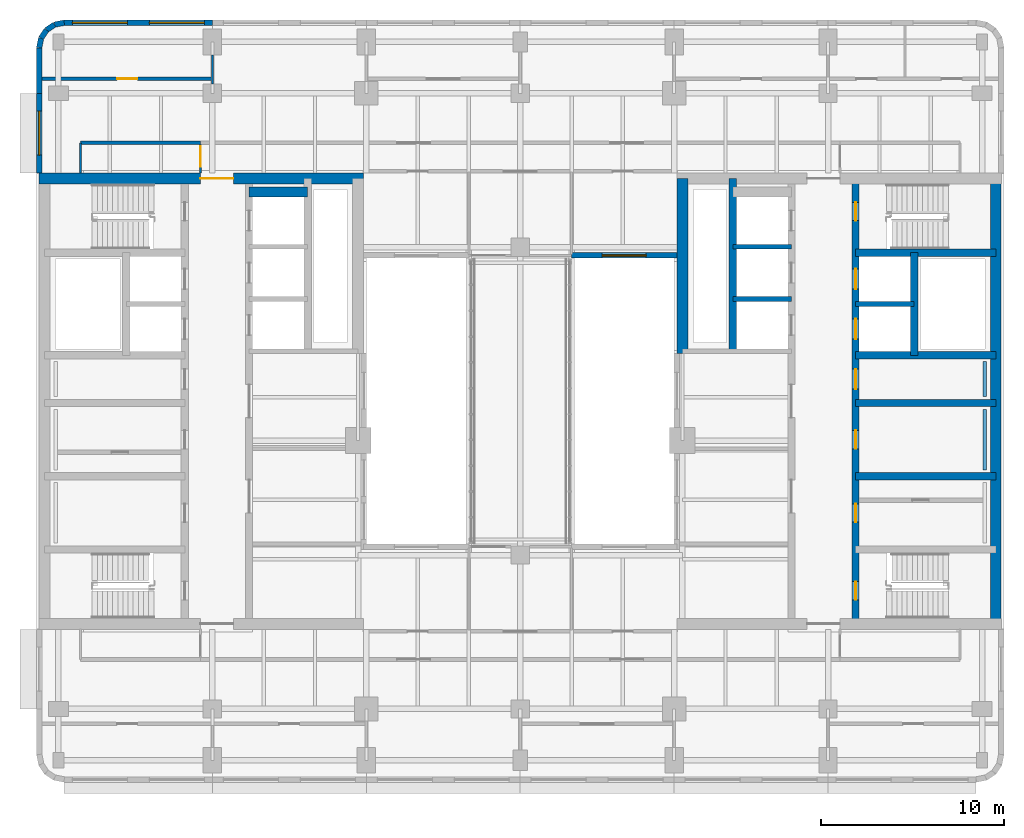
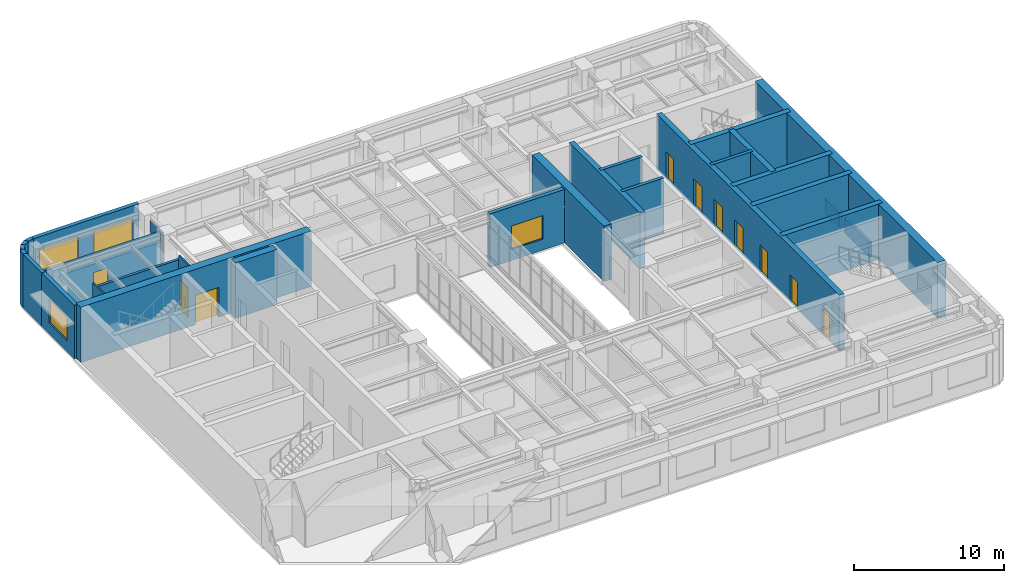
# One storey, part 9 of 14: 29 walls, 10 doors, 4 windows, 14 openings.
"""IFC4 building model written with IfcOpenShell, lengths in metres."""

import ifcopenshell
import ifcopenshell.guid

model = None  # the IFC model being written
_history = None  # IfcOwnerHistory: only IFC2X3 demands one
_inside = {}  # id of a spatial element -> (the spatial element, [elements in it])
_under = {}  # id of a project, library or spatial element -> (it, [spatial elements below it])
_declared = {}  # id of a project -> (the project, [libraries it declares])
_typed = {}  # id of a type object -> (the type object, [elements of that type])
_made_of = {}  # id of a material, layer set ... -> (it, [elements and type objects made of it])


def new_model(schema):
    """Start an empty IFC model of exactly this schema.

    Asked for "IFC4X3", IfcOpenShell would pick the latest addendum, in which some entities
    have other attributes; the version numbers below select the first issue.
    IFC2X3 requires an IfcOwnerHistory on every rooted entity: one is made here for all.
    """
    global model, _history
    if schema == "IFC4X3":
        model = ifcopenshell.file(schema_version=(4, 3, 0, 0))
    else:
        model = ifcopenshell.file(schema=schema)
    _inside.clear()
    _under.clear()
    _declared.clear()
    _typed.clear()
    _made_of.clear()
    _history = None
    if model.schema == "IFC2X3":
        org = make("IfcOrganization", Name="unknown")
        user = make(
            "IfcPersonAndOrganization",
            ThePerson=make("IfcPerson", FamilyName="unknown"),
            TheOrganization=org,
        )
        app = make(
            "IfcApplication",
            ApplicationDeveloper=org,
            Version="unknown",
            ApplicationFullName="unknown",
            ApplicationIdentifier="unknown",
        )
        _history = make(
            "IfcOwnerHistory",
            OwningUser=user,
            OwningApplication=app,
            ChangeAction="ADDED",
            CreationDate=0,
        )
    return model


def make(cls, **values):
    """One entity of the class cls with the attributes given. An attribute that is None is left unset."""
    return model.create_entity(
        cls, **{name: value for name, value in values.items() if value is not None}
    )


def rooted(cls, **values):
    """An entity with a GlobalId (a new one), such as an element, a storey or a relation."""
    return make(cls, GlobalId=ifcopenshell.guid.new(), OwnerHistory=_history, **values)


def si_unit(unit_type, name, prefix=None):
    """IfcSIUnit, for example si_unit("LENGTHUNIT", "METRE", prefix="MILLI")."""
    return make("IfcSIUnit", UnitType=unit_type, Prefix=prefix, Name=name)


def assignment(units):
    """IfcUnitAssignment: the units of a project."""
    return None if units is None else make("IfcUnitAssignment", Units=units)


def point(xyz):
    """IfcCartesianPoint."""
    return None if xyz is None else make("IfcCartesianPoint", Coordinates=xyz)


def direction(xyz):
    """IfcDirection."""
    return None if xyz is None else make("IfcDirection", DirectionRatios=xyz)


def frame(location, z_axis=None, x_axis=None):
    """IfcAxis2Placement3D, a coordinate frame: its origin and axes. An axis left out is left unset."""
    return make(
        "IfcAxis2Placement3D",
        Location=point(location),
        Axis=direction(z_axis),
        RefDirection=direction(x_axis),
    )


def frame_2d(location, x_axis=None):
    """IfcAxis2Placement2D, a coordinate frame in the plane: its origin and x axis."""
    return make(
        "IfcAxis2Placement2D", Location=point(location), RefDirection=direction(x_axis)
    )


def origin():
    """The frame at (0, 0, 0) with its axes left unset."""
    return frame((0.0, 0.0, 0.0))


def place(relative_to, where):
    """IfcLocalPlacement: puts the frame where relative to a parent placement (None: the world)."""
    return make(
        "IfcLocalPlacement", PlacementRelTo=relative_to, RelativePlacement=where
    )


def context(
    kind, dimensions, precision=None, world=None, true_north=None, identifier=None
):
    """IfcGeometricRepresentationContext, for example the 3D "Model" context."""
    return make(
        "IfcGeometricRepresentationContext",
        ContextIdentifier=identifier,
        ContextType=kind,
        CoordinateSpaceDimension=dimensions,
        Precision=precision,
        WorldCoordinateSystem=world,
        TrueNorth=true_north,
    )


def subcontext(parent, identifier, kind, view, scale=None):
    """IfcGeometricRepresentationSubContext, for example "Body" below "Model"."""
    return make(
        "IfcGeometricRepresentationSubContext",
        ContextIdentifier=identifier,
        ContextType=kind,
        ParentContext=parent,
        TargetScale=scale,
        TargetView=view,
    )


def project(units=None, contexts=None):
    """IfcProject with its units and contexts."""
    return rooted(
        "IfcProject",
        Name="project",
        RepresentationContexts=contexts,
        UnitsInContext=assignment(units),
    )


def spatial(cls, under=None, at=None, **own):
    """A site, building, storey or space (cls), placed at a placement, below another one or the project."""
    s = rooted(cls, ObjectPlacement=at, **own)
    if under is not None:
        _under.setdefault(under.id(), (under, []))[1].append(s)
    return s


def profile(cls, at=None, kind="AREA", **sizes):
    """A parametric profile (cls). Its sizes go by their IFC names, for example OverallWidth=200.0."""
    return make(cls, ProfileType=kind, Position=at, **sizes)


def rectangle(**sizes):
    """IfcRectangleProfileDef."""
    return profile("IfcRectangleProfileDef", **sizes)


def extrude(swept, where, along, depth):
    """IfcExtrudedAreaSolid: the profile swept, set in the frame where, extruded along a direction by depth."""
    return make(
        "IfcExtrudedAreaSolid",
        SweptArea=swept,
        Position=where,
        ExtrudedDirection=direction(along),
        Depth=depth,
    )


def shape(context_of_items, identifier, shape_type, items):
    """IfcShapeRepresentation: the items that make up one representation, for example the "Body"."""
    return make(
        "IfcShapeRepresentation",
        ContextOfItems=context_of_items,
        RepresentationIdentifier=identifier,
        RepresentationType=shape_type,
        Items=items,
    )


def material(Name=None, Category=None):
    """IfcMaterial."""
    return make("IfcMaterial", Name=Name, Category=Category)


def layer(
    of_material, thickness, ventilated=None, Name=None, Category=None, Priority=None
):
    """IfcMaterialLayer: one layer of a wall or slab, of a material (None: an air gap)."""
    return make(
        "IfcMaterialLayer",
        Material=of_material,
        LayerThickness=thickness,
        IsVentilated=ventilated,
        Name=Name,
        Category=Category,
        Priority=Priority,
    )


def layer_set(layers, Name=None):
    """IfcMaterialLayerSet."""
    return make("IfcMaterialLayerSet", MaterialLayers=layers, LayerSetName=Name)


def made_of(thing, what):
    """Note that an element or type object is made of a material, layer set ...; save() writes the relation."""
    if what is not None:
        _made_of.setdefault(what.id(), (what, []))[1].append(thing)
    return thing


def type_object(cls, material=None, **own):
    """A type object (cls), such as IfcWallType, which elements share."""
    return made_of(rooted(cls, **own), material)


def element(
    cls,
    number,
    at=None,
    inside=None,
    cuts=None,
    type_object=None,
    material=None,
    context=None,
    identifier="Body",
    shape_type=None,
    held_by="IfcProductDefinitionShape",
    body=None,
    shapes=None,
    **own,
):
    """One element of the class cls, such as IfcWall. Its Tag is "e" and its number.

    at: its placement. inside: the storey or other place that contains it. cuts: it is an
    opening in that element (IfcRelVoidsElement). A single representation is given by context,
    identifier, shape_type and body (its items); several are given by shapes. held_by: the class
    of the entity that holds the representations. save() writes the other relations.
    """
    e = rooted(cls, Tag="e%d" % number, ObjectPlacement=at, **own)
    if body is not None:
        shapes = [shape(context, identifier, shape_type, body)]
    if shapes is not None:
        e.Representation = make(held_by, Representations=shapes)
    if inside is not None:
        _inside.setdefault(inside.id(), (inside, []))[1].append(e)
    if cuts is not None:
        rooted(
            "IfcRelVoidsElement", RelatingBuildingElement=cuts, RelatedOpeningElement=e
        )
    if type_object is not None:
        _typed.setdefault(type_object.id(), (type_object, []))[1].append(e)
    return made_of(e, material)


def fill(opening, filler):
    """IfcRelFillsElement: the door or window that sits in an opening."""
    return rooted(
        "IfcRelFillsElement",
        RelatingOpeningElement=opening,
        RelatedBuildingElement=filler,
    )


def aggregate(whole, parts):
    """IfcRelAggregates: a whole, such as a stair, and the parts it consists of."""
    return rooted("IfcRelAggregates", RelatingObject=whole, RelatedObjects=parts)


def save(model, path):
    """Write the relations noted so far, then the file.

    IfcRelAggregates (storeys below a building ...), IfcRelContainedInSpatialStructure (elements
    in a storey), IfcRelDefinesByType, IfcRelAssociatesMaterial and IfcRelDeclares: one each for
    every whole, place, type object, material and project.
    """
    for whole, parts in _under.values():
        aggregate(whole, parts)
    for where, things in _inside.values():
        rooted(
            "IfcRelContainedInSpatialStructure",
            RelatedElements=things,
            RelatingStructure=where,
        )
    for kind, things in _typed.values():
        rooted("IfcRelDefinesByType", RelatedObjects=things, RelatingType=kind)
    for what, things in _made_of.values():
        rooted("IfcRelAssociatesMaterial", RelatedObjects=things, RelatingMaterial=what)
    for by, libraries in _declared.values():
        rooted("IfcRelDeclares", RelatingContext=by, RelatedDefinitions=libraries)
    model.write(path)


model = new_model("IFC4")

# Units and contexts
model_context = context("Model", 3, precision=1e-05, world=origin(), true_north=direction((0.0, 1.0)))
body_context = subcontext(model_context, "Body", "Model", "MODEL_VIEW")
ifc_project = project(units=[si_unit("LENGTHUNIT", "METRE"), si_unit("AREAUNIT", "SQUARE_METRE"), si_unit("VOLUMEUNIT", "CUBIC_METRE"), si_unit("PLANEANGLEUNIT", "RADIAN"), si_unit("MASSUNIT", "GRAM", prefix="KILO")], contexts=[model_context])

# Site, building, storey
site_placement = place(None, origin())
site = spatial("IfcSite", under=ifc_project, at=site_placement, CompositionType="ELEMENT")
building_placement = place(site_placement, origin())
building = spatial("IfcBuilding", under=site, at=building_placement, Name="Claustro Exchange Tower", CompositionType="ELEMENT")
storey_placement = place(building_placement, frame((0.0, 0.0, 250.199951171875)))
storey = spatial("IfcBuildingStorey", under=building, at=storey_placement, Name="L57", CompositionType="ELEMENT", Elevation=250.199951171875)

# Wall
ifc_material_1 = material(Name="Laminated glass in aluminium frame", Category="aluminium")
ifc_layer_1 = layer(ifc_material_1, 0.1201171875)
ifc_layer_set_1 = layer_set([ifc_layer_1], Name="Laminated glass in aluminium frame")
wall_type_1 = type_object("IfcWallType", Name="P2 120 glazed partition", PredefinedType="PARTITIONING", material=ifc_layer_set_1)
wall_1_placement = place(storey_placement, frame((8.39990234375, 42.498046875, 0.0), z_axis=(0.0, 0.0, 1.0), x_axis=(0.0, 1.0, 0.0)))
element("IfcWall", 1, at=wall_1_placement, inside=storey, type_object=wall_type_1, Name="Partition P2 L57", PredefinedType="PARTITIONING", context=body_context, shape_type="SweptSolid", body=[
    extrude(rectangle(XDim=1.60302734375, YDim=0.1201171875, at=frame_2d((0.801513671875, 0.0))), origin(), (0.0, 0.0, 1.0), 3.989990234375),
])

# Wall, opening, door
wall_2_placement = place(storey_placement, frame((7.75, 37.64794921875, 0.0), z_axis=(0.0, 0.0, 1.0), x_axis=(0.0, 1.0, 0.0)))
wall_2 = element("IfcWall", 2, at=wall_2_placement, inside=storey, type_object=wall_type_1, Name="Partition P2 L57", PredefinedType="PARTITIONING", context=body_context, shape_type="SweptSolid", body=[
    extrude(rectangle(XDim=1.553955078125, YDim=0.1201171875, at=frame_2d((0.77685546875, 0.0))), origin(), (0.0, 0.0, 1.0), 4.35009765625),
])
opening_1_placement = place(wall_2_placement, frame((0.35205078125, 0.0, 0.0)))
opening_1 = element("IfcOpeningElement", 3, at=opening_1_placement, cuts=wall_2, Name="Opening D8", PredefinedType="OPENING", context=body_context, shape_type="SweptSolid", body=[
    extrude(rectangle(XDim=1.10009765625, YDim=2.39990234375, at=frame_2d((0.550048828125, 1.199951171875))), frame((0.0, 0.070068359375, 0.0), z_axis=(0.0, -1.0, 0.0), x_axis=(1.0, 0.0, 0.0)), (0.0, 0.0, 1.0), 0.14013671875),
])
ifc_material_2 = material(Name="Timber door, walnut veneer", Category="wood")
door_type_1 = type_object("IfcDoorType", Name="D8 1100 x 2400 executive door", OperationType="SINGLE_SWING_LEFT", PredefinedType="DOOR", material=ifc_material_2)
door_1_placement = place(opening_1_placement, origin())
door_1 = element("IfcDoor", 4, at=door_1_placement, inside=storey, type_object=door_type_1, Name="Door D8 L57", OperationType="SINGLE_SWING_RIGHT", OverallHeight=2.39990234375, OverallWidth=1.10009765625, PredefinedType="DOOR", context=body_context, shape_type="SweptSolid", body=[
    extrude(rectangle(XDim=1.10009765625, YDim=2.39990234375, at=frame_2d((0.550048828125, 1.199951171875))), frame((0.0, 0.02490234375, 0.0), z_axis=(0.0, -1.0, 0.0), x_axis=(1.0, 0.0, 0.0)), (0.0, 0.0, 1.0), 0.050048828125),
])
fill(opening_1, door_1)

# Wall
wall_3_placement = place(storey_placement, frame((1.199951171875, 37.64794921875, 0.0), z_axis=(0.0, 0.0, 1.0), x_axis=(0.0, 1.0, 0.0)))
element("IfcWall", 5, at=wall_3_placement, inside=storey, type_object=wall_type_1, Name="Partition P2 L57", PredefinedType="PARTITIONING", context=body_context, shape_type="SweptSolid", body=[
    extrude(rectangle(XDim=1.652099609375, YDim=0.1201171875, at=frame_2d((0.826171875, 0.0))), origin(), (0.0, 0.0, 1.0), 4.35009765625),
])

# Wall, opening, door
ifc_material_3 = material(Name="Twin-skin gypsum board on steel studs, mineral wool", Category="steel")
ifc_layer_2 = layer(ifc_material_3, 0.199951171875)
ifc_layer_set_2 = layer_set([ifc_layer_2], Name="Twin-skin gypsum board on steel studs, mineral wool")
wall_type_2 = type_object("IfcWallType", Name="P3 200 acoustic partition", PredefinedType="PARTITIONING", material=ifc_layer_set_2)
wall_4_placement = place(storey_placement, frame((-0.902099609375, 42.800048828125, 0.0), z_axis=(0.0, 0.0, 1.0), x_axis=(1.0, 0.0, 0.0)))
wall_4 = element("IfcWall", 6, at=wall_4_placement, inside=storey, type_object=wall_type_2, Name="Partition P3 L57", PredefinedType="PARTITIONING", context=body_context, shape_type="SweptSolid", body=[
    extrude(rectangle(XDim=9.302001953125, YDim=0.199951171875, at=frame_2d((4.65087890625, 0.0))), origin(), (0.0, 0.0, 1.0), 3.860107421875),
])
opening_2_placement = place(wall_4_placement, frame((4.10205078125, 0.0, 0.0)))
opening_2 = element("IfcOpeningElement", 7, at=opening_2_placement, cuts=wall_4, Name="Opening D8", PredefinedType="OPENING", context=body_context, shape_type="SweptSolid", body=[
    extrude(rectangle(XDim=1.10009765625, YDim=2.39990234375, at=frame_2d((0.550048828125, 1.199951171875))), frame((0.0, 0.10986328125, 0.0), z_axis=(0.0, -1.0, 0.0), x_axis=(1.0, 0.0, 0.0)), (0.0, 0.0, 1.0), 0.219970703125),
])
door_2_placement = place(opening_2_placement, origin())
door_2 = element("IfcDoor", 8, at=door_2_placement, inside=storey, type_object=door_type_1, Name="Door D8 L57", OperationType="SINGLE_SWING_RIGHT", OverallHeight=2.39990234375, OverallWidth=1.10009765625, PredefinedType="DOOR", context=body_context, shape_type="SweptSolid", body=[
    extrude(rectangle(XDim=1.10009765625, YDim=2.39990234375, at=frame_2d((0.550048828125, 1.199951171875))), frame((0.0, 0.02490234375, 0.0), z_axis=(0.0, -1.0, 0.0), x_axis=(1.0, 0.0, 0.0)), (0.0, 0.0, 1.0), 0.050048828125),
])
fill(opening_2, door_2)

# Wall
wall_5_placement = place(storey_placement, frame((1.199951171875, 39.300048828125, 0.0), z_axis=(0.0, 0.0, 1.0), x_axis=(1.0, 0.0, 0.0)))
element("IfcWall", 9, at=wall_5_placement, inside=storey, type_object=wall_type_2, Name="Partition P3 L57", PredefinedType="PARTITIONING", context=body_context, shape_type="SweptSolid", body=[
    extrude(rectangle(XDim=6.552001953125, YDim=0.199951171875, at=frame_2d((3.27587890625, 0.0))), origin(), (0.0, 0.0, 1.0), 3.989990234375),
])

# Wall, opening, window
ifc_material_4 = material(Name="Concrete HA-40 (C40/50), precast, white cement, acid-etched", Category="concrete")
ifc_layer_3 = layer(ifc_material_4, 0.300048828125)
ifc_layer_set_3 = layer_set([ifc_layer_3], Name="Concrete HA-40 (C40/50), precast, white cement, acid-etched")
wall_type_3 = type_object("IfcWallType", Name="PC1 300 precast concrete pier panel", PredefinedType="SOLIDWALL", material=ifc_layer_set_3)
wall_6_placement = place(storey_placement, frame((-1.050048828125, 37.64990234375, 0.0), z_axis=(0.0, 0.0, 1.0), x_axis=(0.0, 1.0, 0.0)))
wall_6 = element("IfcWall", 10, at=wall_6_placement, inside=storey, type_object=wall_type_3, Name="Precast pier panel PC1 L57", PredefinedType="SOLIDWALL", context=body_context, shape_type="SweptSolid", body=[
    extrude(rectangle(XDim=4.35009765625, YDim=0.300048828125, at=frame_2d((2.175048828125, 0.0))), origin(), (0.0, 0.0, 1.0), 4.35009765625),
])
opening_3_placement = place(wall_6_placement, frame((0.97509765625, 0.0, 0.89990234375)))
opening_3 = element("IfcOpeningElement", 11, at=opening_3_placement, cuts=wall_6, Name="Opening W2", PredefinedType="OPENING", context=body_context, shape_type="SweptSolid", body=[
    extrude(rectangle(XDim=2.39990234375, YDim=1.89990234375, at=frame_2d((1.199951171875, 0.949951171875))), frame((0.0, 0.159912109375, 0.0), z_axis=(0.0, -1.0, 0.0), x_axis=(1.0, 0.0, 0.0)), (0.0, 0.0, 1.0), 0.320068359375),
])
ifc_material_5 = material(Name="Aluminium frame, clear double glazing", Category="aluminium")
window_type_1 = type_object("IfcWindowType", Name="W2 2400 x 1900 window", PartitioningType="SINGLE_PANEL", PredefinedType="WINDOW", material=ifc_material_5)
window_1_placement = place(opening_3_placement, origin())
window_1 = element("IfcWindow", 12, at=window_1_placement, inside=storey, type_object=window_type_1, Name="Window W2 L57", OverallHeight=1.89990234375, OverallWidth=2.39990234375, PartitioningType="SINGLE_PANEL", PredefinedType="WINDOW", context=body_context, shape_type="SweptSolid", body=[
    extrude(rectangle(XDim=2.39990234375, YDim=1.89990234375, at=frame_2d((1.199951171875, 0.949951171875))), frame((0.0, 0.030029296875, 0.0), z_axis=(0.0, -1.0, 0.0), x_axis=(1.0, 0.0, 0.0)), (0.0, 0.0, 1.0), 0.06005859375),
])
fill(opening_3, window_1)

# Walls
wall_7_placement = place(storey_placement, frame((-1.050048828125, 42.0, 0.0), z_axis=(0.0, 0.0, 1.0), x_axis=(0.0, 1.0, 0.0)))
element("IfcWall", 13, at=wall_7_placement, inside=storey, type_object=wall_type_3, Name="Precast pier panel PC1 L57", PredefinedType="SOLIDWALL", context=body_context, shape_type="SweptSolid", body=[
    extrude(rectangle(XDim=2.485107421875, YDim=0.300048828125, at=frame_2d((1.24267578125, 0.0))), origin(), (0.0, 0.0, 1.0), 4.35009765625),
])
wall_8_placement = place(storey_placement, frame((-1.050048828125, 44.485107421875, 0.0), z_axis=(0.0, 0.0, 1.0), x_axis=(0.195073962632, 0.980788534345, 0.0)))
element("IfcWall", 14, at=wall_8_placement, inside=storey, type_object=wall_type_3, Name="Precast pier panel PC1 L57", PredefinedType="SOLIDWALL", context=body_context, shape_type="SweptSolid", body=[
    extrude(rectangle(XDim=0.540771484375, YDim=0.300048828125, at=frame_2d((0.2705078125, 0.0))), origin(), (0.0, 0.0, 1.0), 4.35009765625),
])
wall_9_placement = place(storey_placement, frame((-0.944580078125, 45.015380859375, 0.0), z_axis=(0.0, 0.0, 1.0), x_axis=(0.55534295404, 0.831621430339, 0.0)))
element("IfcWall", 15, at=wall_9_placement, inside=storey, type_object=wall_type_3, Name="Precast pier panel PC1 L57", PredefinedType="SOLIDWALL", context=body_context, shape_type="SweptSolid", body=[
    extrude(rectangle(XDim=0.52587890625, YDim=0.300048828125, at=frame_2d((0.262939453125, 0.0))), origin(), (0.0, 0.0, 1.0), 4.35009765625),
])
wall_10_placement = place(storey_placement, frame((-0.652587890625, 45.45263671875, 0.0), z_axis=(0.0, 0.0, 1.0), x_axis=(0.831692711774, 0.555236195849, 0.0)))
element("IfcWall", 16, at=wall_10_placement, inside=storey, type_object=wall_type_3, Name="Precast pier panel PC1 L57", PredefinedType="SOLIDWALL", context=body_context, shape_type="SweptSolid", body=[
    extrude(rectangle(XDim=0.525390625, YDim=0.300048828125, at=frame_2d((0.2626953125, 0.0))), origin(), (0.0, 0.0, 1.0), 4.35009765625),
])
wall_11_placement = place(storey_placement, frame((-0.215576171875, 45.744384765625, 0.0), z_axis=(0.0, 0.0, 1.0), x_axis=(0.980702050465, 0.1955082817, 0.0)))
element("IfcWall", 17, at=wall_11_placement, inside=storey, type_object=wall_type_3, Name="Precast pier panel PC1 L57", PredefinedType="SOLIDWALL", context=body_context, shape_type="SweptSolid", body=[
    extrude(rectangle(XDim=0.540771484375, YDim=0.300048828125, at=frame_2d((0.2705078125, 0.0))), origin(), (0.0, 0.0, 1.0), 4.35009765625),
])

# Wall, openings, windows
wall_12_placement = place(storey_placement, frame((0.314697265625, 45.85009765625, 0.0), z_axis=(0.0, 0.0, 1.0), x_axis=(1.0, 0.0, 0.0)))
wall_12 = element("IfcWall", 18, at=wall_12_placement, inside=storey, type_object=wall_type_3, Name="Precast pier panel PC1 L57", PredefinedType="SOLIDWALL", context=body_context, shape_type="SweptSolid", body=[
    extrude(rectangle(XDim=8.085205078125, YDim=0.300048828125, at=frame_2d((4.04248046875, 0.0))), origin(), (0.0, 0.0, 1.0), 4.35009765625),
])
opening_4_placement = place(wall_12_placement, frame((0.442626953125, 0.0, 0.89990234375)))
opening_4 = element("IfcOpeningElement", 19, at=opening_4_placement, cuts=wall_12, Name="Opening W3", PredefinedType="OPENING", context=body_context, shape_type="SweptSolid", body=[
    extrude(rectangle(XDim=3.0, YDim=2.39990234375, at=frame_2d((1.5, 1.199951171875))), frame((0.0, 0.159912109375, 0.0), z_axis=(0.0, -1.0, 0.0), x_axis=(1.0, 0.0, 0.0)), (0.0, 0.0, 1.0), 0.320068359375),
])
opening_5_placement = place(wall_12_placement, frame((4.642578125, 0.0, 0.89990234375)))
opening_5 = element("IfcOpeningElement", 20, at=opening_5_placement, cuts=wall_12, Name="Opening W3", PredefinedType="OPENING", context=body_context, shape_type="SweptSolid", body=[
    extrude(rectangle(XDim=3.0, YDim=2.39990234375, at=frame_2d((1.5, 1.199951171875))), frame((0.0, 0.159912109375, 0.0), z_axis=(0.0, -1.0, 0.0), x_axis=(1.0, 0.0, 0.0)), (0.0, 0.0, 1.0), 0.320068359375),
])
ifc_material_6 = material(Name="Aluminium frame, clear double glazing", Category="aluminium")
window_type_2 = type_object("IfcWindowType", Name="W3 3000 x 2400 window", PartitioningType="SINGLE_PANEL", PredefinedType="WINDOW", material=ifc_material_6)
window_2_placement = place(opening_4_placement, origin())
window_2 = element("IfcWindow", 21, at=window_2_placement, inside=storey, type_object=window_type_2, Name="Window W3 L57", OverallHeight=2.39990234375, OverallWidth=3.0, PartitioningType="SINGLE_PANEL", PredefinedType="WINDOW", context=body_context, shape_type="SweptSolid", body=[
    extrude(rectangle(XDim=3.0, YDim=2.39990234375, at=frame_2d((1.5, 1.199951171875))), frame((0.0, 0.030029296875, 0.0), z_axis=(0.0, -1.0, 0.0), x_axis=(1.0, 0.0, 0.0)), (0.0, 0.0, 1.0), 0.06005859375),
])
fill(opening_4, window_2)
window_3_placement = place(opening_5_placement, origin())
window_3 = element("IfcWindow", 22, at=window_3_placement, inside=storey, type_object=window_type_2, Name="Window W3 L57", OverallHeight=2.39990234375, OverallWidth=3.0, PartitioningType="SINGLE_PANEL", PredefinedType="WINDOW", context=body_context, shape_type="SweptSolid", body=[
    extrude(rectangle(XDim=3.0, YDim=2.39990234375, at=frame_2d((1.5, 1.199951171875))), frame((0.0, 0.030029296875, 0.0), z_axis=(0.0, -1.0, 0.0), x_axis=(1.0, 0.0, 0.0)), (0.0, 0.0, 1.0), 0.06005859375),
])
fill(opening_5, window_3)

# Wall, opening, window
wall_13_placement = place(storey_placement, frame((28.0, 33.14990234375, 0.0), z_axis=(0.0, 0.0, 1.0), x_axis=(1.0, 0.0, 0.0)))
wall_13 = element("IfcWall", 23, at=wall_13_placement, inside=storey, type_object=wall_type_3, Name="Precast pier panel PC1 L57", PredefinedType="SOLIDWALL", context=body_context, shape_type="SweptSolid", body=[
    extrude(rectangle(XDim=5.75, YDim=0.300048828125, at=frame_2d((2.875, 0.0))), origin(), (0.0, 0.0, 1.0), 4.35009765625),
])
opening_6_placement = place(wall_13_placement, frame((1.675048828125, 0.0, 0.89990234375)))
opening_6 = element("IfcOpeningElement", 24, at=opening_6_placement, cuts=wall_13, Name="Opening W2", PredefinedType="OPENING", context=body_context, shape_type="SweptSolid", body=[
    extrude(rectangle(XDim=2.39990234375, YDim=1.89990234375, at=frame_2d((1.199951171875, 0.949951171875))), frame((0.0, 0.159912109375, 0.0), z_axis=(0.0, -1.0, 0.0), x_axis=(1.0, 0.0, 0.0)), (0.0, 0.0, 1.0), 0.320068359375),
])
window_4_placement = place(opening_6_placement, origin())
window_4 = element("IfcWindow", 25, at=window_4_placement, inside=storey, type_object=window_type_1, Name="Window W2 L57", OverallHeight=1.89990234375, OverallWidth=2.39990234375, PartitioningType="SINGLE_PANEL", PredefinedType="WINDOW", context=body_context, shape_type="SweptSolid", body=[
    extrude(rectangle(XDim=2.39990234375, YDim=1.89990234375, at=frame_2d((1.199951171875, 0.949951171875))), frame((0.0, 0.030029296875, 0.0), z_axis=(0.0, -1.0, 0.0), x_axis=(1.0, 0.0, 0.0)), (0.0, 0.0, 1.0), 0.06005859375),
])
fill(opening_6, window_4)

# Walls
ifc_material_7 = material(Name="Gypsum board on steel studs, tiled", Category="steel")
ifc_layer_4 = layer(ifc_material_7, 0.199951171875)
ifc_layer_set_4 = layer_set([ifc_layer_4], Name="Gypsum board on steel studs, tiled")
wall_type_4 = type_object("IfcWallType", Name="PW1 200 WC duct wall", PredefinedType="PLUMBINGWALL", material=ifc_layer_set_4)
wall_14_placement = place(storey_placement, frame((50.550048828125, 21.449951171875, 0.0), z_axis=(0.0, 0.0, 1.0), x_axis=(0.0, 1.0, 0.0)))
element("IfcWall", 26, at=wall_14_placement, inside=storey, type_object=wall_type_4, Name="WC duct wall PW1 L57", PredefinedType="PLUMBINGWALL", context=body_context, shape_type="SweptSolid", body=[
    extrude(rectangle(XDim=3.300048828125, YDim=0.199951171875, at=frame_2d((1.64990234375, 0.0))), origin(), (0.0, 0.0, 1.0), 1.199951171875),
])
wall_15_placement = place(storey_placement, frame((50.550048828125, 25.449951171875, 0.0), z_axis=(0.0, 0.0, 1.0), x_axis=(0.0, 1.0, 0.0)))
element("IfcWall", 27, at=wall_15_placement, inside=storey, type_object=wall_type_4, Name="WC duct wall PW1 L57", PredefinedType="PLUMBINGWALL", context=body_context, shape_type="SweptSolid", body=[
    extrude(rectangle(XDim=1.900146484375, YDim=0.199951171875, at=frame_2d((0.9501953125, 0.0))), origin(), (0.0, 0.0, 1.0), 1.199951171875),
])

# Wall, opening, door
ifc_material_8 = material(Name="Concrete HA-50 (C50/60)", Category="concrete")
ifc_layer_5 = layer(ifc_material_8, 0.60009765625)
ifc_layer_set_5 = layer_set([ifc_layer_5], Name="Concrete HA-50 (C50/60)")
wall_type_5 = type_object("IfcWallType", Name="SW3 600 core shear wall", PredefinedType="SHEAR", material=ifc_layer_set_5)
wall_16_placement = place(storey_placement, frame((-1.050048828125, 37.35009765625, 0.0), z_axis=(0.0, 0.0, 1.0), x_axis=(1.0, 0.0, 0.0)))
wall_16 = element("IfcWall", 28, at=wall_16_placement, inside=storey, type_object=wall_type_5, Name="Core wall SW3 W core N face L57", PredefinedType="SHEAR", context=body_context, shape_type="SweptSolid", body=[
    extrude(rectangle(XDim=17.699951171875, YDim=0.60009765625, at=frame_2d((8.85009765625, 0.0))), origin(), (0.0, 0.0, 1.0), 4.5),
])
opening_7_placement = place(wall_16_placement, frame((8.800048828125, 0.0, 0.0)))
opening_7 = element("IfcOpeningElement", 29, at=opening_7_placement, cuts=wall_16, Name="Opening D3", PredefinedType="OPENING", context=body_context, shape_type="SweptSolid", body=[
    extrude(rectangle(XDim=1.800048828125, YDim=2.39990234375, at=frame_2d((0.89990234375, 1.199951171875))), frame((0.0, 0.31005859375, 0.0), z_axis=(0.0, -1.0, 0.0), x_axis=(1.0, 0.0, 0.0)), (0.0, 0.0, 1.0), 0.6201171875),
])
ifc_material_9 = material(Name="Steel fire door, painted", Category="steel")
door_type_2 = type_object("IfcDoorType", Name="D3 1800 x 2400 fire-rated lobby double door", OperationType="DOUBLE_DOOR_SINGLE_SWING", PredefinedType="DOOR", material=ifc_material_9)
door_3_placement = place(opening_7_placement, origin())
door_3 = element("IfcDoor", 30, at=door_3_placement, inside=storey, type_object=door_type_2, Name="Lift lobby door D3 L57", OperationType="DOUBLE_DOOR_SINGLE_SWING", OverallHeight=2.39990234375, OverallWidth=1.800048828125, PredefinedType="DOOR", context=body_context, shape_type="SweptSolid", body=[
    extrude(rectangle(XDim=1.800048828125, YDim=2.39990234375, at=frame_2d((0.89990234375, 1.199951171875))), frame((0.0, 0.02490234375, 0.0), z_axis=(0.0, -1.0, 0.0), x_axis=(1.0, 0.0, 0.0)), (0.0, 0.0, 1.0), 0.050048828125),
])
fill(opening_7, door_3)

# Walls
ifc_material_10 = material(Name="Concrete HA-50 (C50/60)", Category="concrete")
ifc_layer_6 = layer(ifc_material_10, 0.60009765625)
ifc_layer_set_6 = layer_set([ifc_layer_6], Name="Concrete HA-50 (C50/60)")
wall_type_6 = type_object("IfcWallType", Name="SW3X 600 exposed core shear wall, board-marked face", PredefinedType="SHEAR", material=ifc_layer_set_6)
wall_17_placement = place(storey_placement, frame((34.050048828125, 27.800048828125, 0.0), z_axis=(0.0, 0.0, 1.0), x_axis=(0.0, 1.0, 0.0)))
element("IfcWall", 31, at=wall_17_placement, inside=storey, type_object=wall_type_6, Name="Core wall SW3X E core W face L57", PredefinedType="SHEAR", context=body_context, shape_type="SweptSolid", body=[
    extrude(rectangle(XDim=9.550048828125, YDim=0.60009765625, at=frame_2d((4.77490234375, 0.0))), origin(), (0.0, 0.0, 1.0), 4.5),
])
wall_18_placement = place(storey_placement, frame((51.14990234375, 13.050048828125, 0.0), z_axis=(0.0, 0.0, 1.0), x_axis=(0.0, 1.0, 0.0)))
element("IfcWall", 32, at=wall_18_placement, inside=storey, type_object=wall_type_6, Name="Core wall SW3X E core E face L57", PredefinedType="SHEAR", context=body_context, shape_type="SweptSolid", body=[
    extrude(rectangle(XDim=24.300048828125, YDim=0.60009765625, at=frame_2d((12.14990234375, 0.0))), origin(), (0.0, 0.0, 1.0), 4.5),
])

# Wall, openings, doors
ifc_material_11 = material(Name="Concrete HA-50 (C50/60)", Category="concrete")
ifc_layer_7 = layer(ifc_material_11, 0.39990234375)
ifc_layer_set_7 = layer_set([ifc_layer_7], Name="Concrete HA-50 (C50/60)")
wall_type_7 = type_object("IfcWallType", Name="SW4 400 internal core wall", PredefinedType="SHEAR", material=ifc_layer_set_7)
wall_19_placement = place(storey_placement, frame((43.5, 13.050048828125, 0.0), z_axis=(0.0, 0.0, 1.0), x_axis=(0.0, 1.0, 0.0)))
wall_19 = element("IfcWall", 33, at=wall_19_placement, inside=storey, type_object=wall_type_7, Name="Internal core wall SW4 E core L57", PredefinedType="SHEAR", context=body_context, shape_type="SweptSolid", body=[
    extrude(rectangle(XDim=24.300048828125, YDim=0.39990234375, at=frame_2d((12.14990234375, 0.0))), origin(), (0.0, 0.0, 1.0), 4.5),
])
opening_8_placement = place(wall_19_placement, frame((1.300048828125, 0.0, 0.0)))
opening_8 = element("IfcOpeningElement", 34, at=opening_8_placement, cuts=wall_19, Name="Opening D4", PredefinedType="OPENING", context=body_context, shape_type="SweptSolid", body=[
    extrude(rectangle(XDim=1.0, YDim=2.199951171875, at=frame_2d((0.5, 1.10009765625))), frame((0.0, 0.2099609375, 0.0), z_axis=(0.0, -1.0, 0.0), x_axis=(1.0, 0.0, 0.0)), (0.0, 0.0, 1.0), 0.419921875),
])
opening_9_placement = place(wall_19_placement, frame((22.0, 0.0, 0.0)))
opening_9 = element("IfcOpeningElement", 35, at=opening_9_placement, cuts=wall_19, Name="Opening D4", PredefinedType="OPENING", context=body_context, shape_type="SweptSolid", body=[
    extrude(rectangle(XDim=1.0, YDim=2.199951171875, at=frame_2d((0.5, 1.10009765625))), frame((0.0, 0.2099609375, 0.0), z_axis=(0.0, -1.0, 0.0), x_axis=(1.0, 0.0, 0.0)), (0.0, 0.0, 1.0), 0.419921875),
])
opening_10_placement = place(wall_19_placement, frame((5.550048828125, 0.0, 0.0)))
opening_10 = element("IfcOpeningElement", 36, at=opening_10_placement, cuts=wall_19, Name="Opening D1", PredefinedType="OPENING", context=body_context, shape_type="SweptSolid", body=[
    extrude(rectangle(XDim=1.0, YDim=2.199951171875, at=frame_2d((0.5, 1.10009765625))), frame((0.0, 0.2099609375, 0.0), z_axis=(0.0, -1.0, 0.0), x_axis=(1.0, 0.0, 0.0)), (0.0, 0.0, 1.0), 0.419921875),
])
opening_11_placement = place(wall_19_placement, frame((9.550048828125, 0.0, 0.0)))
opening_11 = element("IfcOpeningElement", 37, at=opening_11_placement, cuts=wall_19, Name="Opening D1", PredefinedType="OPENING", context=body_context, shape_type="SweptSolid", body=[
    extrude(rectangle(XDim=1.0, YDim=2.199951171875, at=frame_2d((0.5, 1.10009765625))), frame((0.0, 0.2099609375, 0.0), z_axis=(0.0, -1.0, 0.0), x_axis=(1.0, 0.0, 0.0)), (0.0, 0.0, 1.0), 0.419921875),
])
opening_12_placement = place(wall_19_placement, frame((12.800048828125, 0.0, 0.0)))
opening_12 = element("IfcOpeningElement", 38, at=opening_12_placement, cuts=wall_19, Name="Opening D10", PredefinedType="OPENING", context=body_context, shape_type="SweptSolid", body=[
    extrude(rectangle(XDim=1.10009765625, YDim=2.199951171875, at=frame_2d((0.550048828125, 1.10009765625))), frame((0.0, 0.2099609375, 0.0), z_axis=(0.0, -1.0, 0.0), x_axis=(1.0, 0.0, 0.0)), (0.0, 0.0, 1.0), 0.419921875),
])
opening_13_placement = place(wall_19_placement, frame((15.53759765625, 0.0, 0.0)))
opening_13 = element("IfcOpeningElement", 39, at=opening_13_placement, cuts=wall_19, Name="Opening LD", PredefinedType="OPENING", context=body_context, shape_type="SweptSolid", body=[
    extrude(rectangle(XDim=1.10009765625, YDim=2.199951171875, at=frame_2d((0.550048828125, 1.10009765625))), frame((0.0, 0.2099609375, 0.0), z_axis=(0.0, -1.0, 0.0), x_axis=(1.0, 0.0, 0.0)), (0.0, 0.0, 1.0), 0.419921875),
])
opening_14_placement = place(wall_19_placement, frame((18.262451171875, 0.0, 0.0)))
opening_14 = element("IfcOpeningElement", 40, at=opening_14_placement, cuts=wall_19, Name="Opening LD", PredefinedType="OPENING", context=body_context, shape_type="SweptSolid", body=[
    extrude(rectangle(XDim=1.10009765625, YDim=2.199951171875, at=frame_2d((0.550048828125, 1.10009765625))), frame((0.0, 0.2099609375, 0.0), z_axis=(0.0, -1.0, 0.0), x_axis=(1.0, 0.0, 0.0)), (0.0, 0.0, 1.0), 0.419921875),
])
ifc_material_12 = material(Name="Timber door, oak veneer", Category="wood")
door_type_3 = type_object("IfcDoorType", Name="D1 1000 x 2200 single door", OperationType="SINGLE_SWING_LEFT", PredefinedType="DOOR", material=ifc_material_12)
door_4_placement = place(opening_10_placement, frame((1.0, 0.0, 0.0), z_axis=(0.0, 0.0, 1.0), x_axis=(-1.0, 0.0, 0.0)))
door_4 = element("IfcDoor", 41, at=door_4_placement, inside=storey, type_object=door_type_3, Name="Door D1 L57", OperationType="SINGLE_SWING_LEFT", OverallHeight=2.199951171875, OverallWidth=1.0, PredefinedType="DOOR", context=body_context, shape_type="SweptSolid", body=[
    extrude(rectangle(XDim=1.0, YDim=2.199951171875, at=frame_2d((0.5, 1.10009765625))), frame((0.0, 0.02490234375, 0.0), z_axis=(0.0, -1.0, 0.0), x_axis=(1.0, 0.0, 0.0)), (0.0, 0.0, 1.0), 0.050048828125),
])
fill(opening_10, door_4)
door_5_placement = place(opening_11_placement, frame((1.0, 0.0, 0.0), z_axis=(0.0, 0.0, 1.0), x_axis=(-1.0, 0.0, 0.0)))
door_5 = element("IfcDoor", 42, at=door_5_placement, inside=storey, type_object=door_type_3, Name="Door D1 L57", OperationType="SINGLE_SWING_LEFT", OverallHeight=2.199951171875, OverallWidth=1.0, PredefinedType="DOOR", context=body_context, shape_type="SweptSolid", body=[
    extrude(rectangle(XDim=1.0, YDim=2.199951171875, at=frame_2d((0.5, 1.10009765625))), frame((0.0, 0.02490234375, 0.0), z_axis=(0.0, -1.0, 0.0), x_axis=(1.0, 0.0, 0.0)), (0.0, 0.0, 1.0), 0.050048828125),
])
fill(opening_11, door_5)
ifc_material_13 = material(Name="Timber door, oak veneer", Category="wood")
door_type_4 = type_object("IfcDoorType", Name="D10 1100 x 2200 accessible WC door", OperationType="SINGLE_SWING_LEFT", PredefinedType="DOOR", material=ifc_material_13)
door_6_placement = place(opening_12_placement, origin())
door_6 = element("IfcDoor", 43, at=door_6_placement, inside=storey, type_object=door_type_4, Name="Accessible WC door D10 L57", OperationType="SINGLE_SWING_RIGHT", OverallHeight=2.199951171875, OverallWidth=1.10009765625, PredefinedType="DOOR", context=body_context, shape_type="SweptSolid", body=[
    extrude(rectangle(XDim=1.10009765625, YDim=2.199951171875, at=frame_2d((0.550048828125, 1.10009765625))), frame((0.0, 0.02490234375, 0.0), z_axis=(0.0, -1.0, 0.0), x_axis=(1.0, 0.0, 0.0)), (0.0, 0.0, 1.0), 0.050048828125),
])
fill(opening_12, door_6)
ifc_material_14 = material(Name="Steel fire door, painted", Category="steel")
door_type_5 = type_object("IfcDoorType", Name="D4 1000 x 2200 fire-rated stair door", OperationType="SINGLE_SWING_LEFT", PredefinedType="DOOR", material=ifc_material_14)
door_7_placement = place(opening_8_placement, frame((1.0, 0.0, 0.0), z_axis=(0.0, 0.0, 1.0), x_axis=(-1.0, 0.0, 0.0)))
door_7 = element("IfcDoor", 44, at=door_7_placement, inside=storey, type_object=door_type_5, Name="Stair door D4 L57", OperationType="SINGLE_SWING_RIGHT", OverallHeight=2.199951171875, OverallWidth=1.0, PredefinedType="DOOR", context=body_context, shape_type="SweptSolid", body=[
    extrude(rectangle(XDim=1.0, YDim=2.199951171875, at=frame_2d((0.5, 1.10009765625))), frame((0.0, 0.02490234375, 0.0), z_axis=(0.0, -1.0, 0.0), x_axis=(1.0, 0.0, 0.0)), (0.0, 0.0, 1.0), 0.050048828125),
])
fill(opening_8, door_7)
door_8_placement = place(opening_9_placement, frame((1.0, 0.0, 0.0), z_axis=(0.0, 0.0, 1.0), x_axis=(-1.0, 0.0, 0.0)))
door_8 = element("IfcDoor", 45, at=door_8_placement, inside=storey, type_object=door_type_5, Name="Stair door D4 L57", OperationType="SINGLE_SWING_LEFT", OverallHeight=2.199951171875, OverallWidth=1.0, PredefinedType="DOOR", context=body_context, shape_type="SweptSolid", body=[
    extrude(rectangle(XDim=1.0, YDim=2.199951171875, at=frame_2d((0.5, 1.10009765625))), frame((0.0, 0.02490234375, 0.0), z_axis=(0.0, -1.0, 0.0), x_axis=(1.0, 0.0, 0.0)), (0.0, 0.0, 1.0), 0.050048828125),
])
fill(opening_9, door_8)
ifc_material_15 = material(Name="Stainless steel sliding door", Category="steel")
door_type_6 = type_object("IfcDoorType", Name="LD 1100 x 2200 lift landing door", OperationType="DOUBLE_DOOR_SLIDING", PredefinedType="DOOR", material=ifc_material_15)
door_9_placement = place(opening_13_placement, origin())
door_9 = element("IfcDoor", 46, at=door_9_placement, inside=storey, type_object=door_type_6, Name="Lift landing door LEE1 LD L57", OperationType="DOUBLE_DOOR_SLIDING", OverallHeight=2.199951171875, OverallWidth=1.10009765625, PredefinedType="DOOR", context=body_context, shape_type="SweptSolid", body=[
    extrude(rectangle(XDim=1.10009765625, YDim=2.199951171875, at=frame_2d((0.550048828125, 1.10009765625))), frame((0.0, 0.02490234375, 0.0), z_axis=(0.0, -1.0, 0.0), x_axis=(1.0, 0.0, 0.0)), (0.0, 0.0, 1.0), 0.050048828125),
])
fill(opening_13, door_9)
door_10_placement = place(opening_14_placement, origin())
door_10 = element("IfcDoor", 47, at=door_10_placement, inside=storey, type_object=door_type_6, Name="Lift landing door LEE2 LD L57", OperationType="DOUBLE_DOOR_SLIDING", OverallHeight=2.199951171875, OverallWidth=1.10009765625, PredefinedType="DOOR", context=body_context, shape_type="SweptSolid", body=[
    extrude(rectangle(XDim=1.10009765625, YDim=2.199951171875, at=frame_2d((0.550048828125, 1.10009765625))), frame((0.0, 0.02490234375, 0.0), z_axis=(0.0, -1.0, 0.0), x_axis=(1.0, 0.0, 0.0)), (0.0, 0.0, 1.0), 0.050048828125),
])
fill(opening_14, door_10)

# Walls
wall_20_placement = place(storey_placement, frame((36.800048828125, 27.925048828125, 0.0), z_axis=(0.0, 0.0, 1.0), x_axis=(0.0, 1.0, 0.0)))
element("IfcWall", 48, at=wall_20_placement, inside=storey, type_object=wall_type_7, Name="Internal core wall SW4 E core L57", PredefinedType="SHEAR", context=body_context, shape_type="SweptSolid", body=[
    extrude(rectangle(XDim=9.425048828125, YDim=0.39990234375, at=frame_2d((4.71240234375, 0.0))), origin(), (0.0, 0.0, 1.0), 4.5),
])
for number, where, z_axis, x_axis, name in (
    (49, (51.14990234375, 21.10009765625, 0.0), (0.0, 0.0, 1.0), (-1.0, 0.0, 0.0), "Internal core wall SW4 E core L57"),
    (50, (51.14990234375, 25.10009765625, 0.0), (0.0, 0.0, 1.0), (-1.0, 0.0, 0.0), "Internal core wall SW4 E core L57"),
    (51, (51.14990234375, 27.699951171875, 0.0), (0.0, 0.0, 1.0), (-1.0, 0.0, 0.0), "Internal core wall SW4 E core L57"),
    (52, (51.14990234375, 33.300048828125, 0.0), (0.0, 0.0, 1.0), (-1.0, 0.0, 0.0), "Internal core wall SW4 E core L57"),
):
    element("IfcWall", number, at=place(storey_placement, frame(where, z_axis=z_axis, x_axis=x_axis)), inside=storey, type_object=wall_type_7, Name=name, PredefinedType="SHEAR", context=body_context, shape_type="SweptSolid", body=[
        extrude(rectangle(XDim=7.64990234375, YDim=0.39990234375, at=frame_2d((3.824951171875, 0.0))), origin(), (0.0, 0.0, 1.0), 4.5),
    ])
wall_21_placement = place(storey_placement, frame((46.699951171875, 27.699951171875, 0.0), z_axis=(0.0, 0.0, 1.0), x_axis=(0.0, 1.0, 0.0)))
element("IfcWall", 53, at=wall_21_placement, inside=storey, type_object=wall_type_7, Name="Internal core wall SW4 E core L57", PredefinedType="SHEAR", context=body_context, shape_type="SweptSolid", body=[
    extrude(rectangle(XDim=5.60009765625, YDim=0.39990234375, at=frame_2d((2.800048828125, 0.0))), origin(), (0.0, 0.0, 1.0), 4.5),
])
ifc_material_16 = material(Name="Concrete HA-50 (C50/60)", Category="concrete")
ifc_layer_8 = layer(ifc_material_16, 0.25)
ifc_layer_set_8 = layer_set([ifc_layer_8], Name="Concrete HA-50 (C50/60)")
wall_type_8 = type_object("IfcWallType", Name="SW5 250 lift shaft divider wall", PredefinedType="SHEAR", material=ifc_layer_set_8)
for number, where, z_axis, x_axis, name in (
    (54, (46.699951171875, 30.5, 0.0), (0.0, 0.0, 1.0), (-1.0, 0.0, 0.0), "Lift shaft wall E core L57"),
    (55, (40.0, 30.77490234375, 0.0), (0.0, 0.0, 1.0), (-1.0, 0.0, 0.0), "Lift shaft wall E core L57"),
    (56, (40.0, 33.625, 0.0), (0.0, 0.0, 1.0), (-1.0, 0.0, 0.0), "Lift shaft wall E core L57"),
):
    element("IfcWall", number, at=place(storey_placement, frame(where, z_axis=z_axis, x_axis=x_axis)), inside=storey, type_object=wall_type_8, Name=name, PredefinedType="SHEAR", context=body_context, shape_type="SweptSolid", body=[
        extrude(rectangle(XDim=3.199951171875, YDim=0.25, at=frame_2d((1.60009765625, 0.0))), origin(), (0.0, 0.0, 1.0), 4.5),
    ])
ifc_material_17 = material(Name="Concrete HA-50 (C50/60)", Category="concrete")
ifc_layer_9 = layer(ifc_material_17, 0.550048828125)
ifc_layer_set_9 = layer_set([ifc_layer_9], Name="Concrete HA-50 (C50/60)")
wall_type_9 = type_object("IfcWallType", Name="SW6 550 lift shaft end wall", PredefinedType="SHEAR", material=ifc_layer_set_9)
wall_22_placement = place(storey_placement, frame((10.39990234375, 36.625, 0.0), z_axis=(0.0, 0.0, 1.0), x_axis=(1.0, 0.0, 0.0)))
element("IfcWall", 57, at=wall_22_placement, inside=storey, type_object=wall_type_9, Name="Lift shaft wall W core L57", PredefinedType="SHEAR", context=body_context, shape_type="SweptSolid", body=[
    extrude(rectangle(XDim=3.2001953125, YDim=0.550048828125, at=frame_2d((1.60009765625, 0.0))), origin(), (0.0, 0.0, 1.0), 4.5),
])

save(model, "model.ifc")
